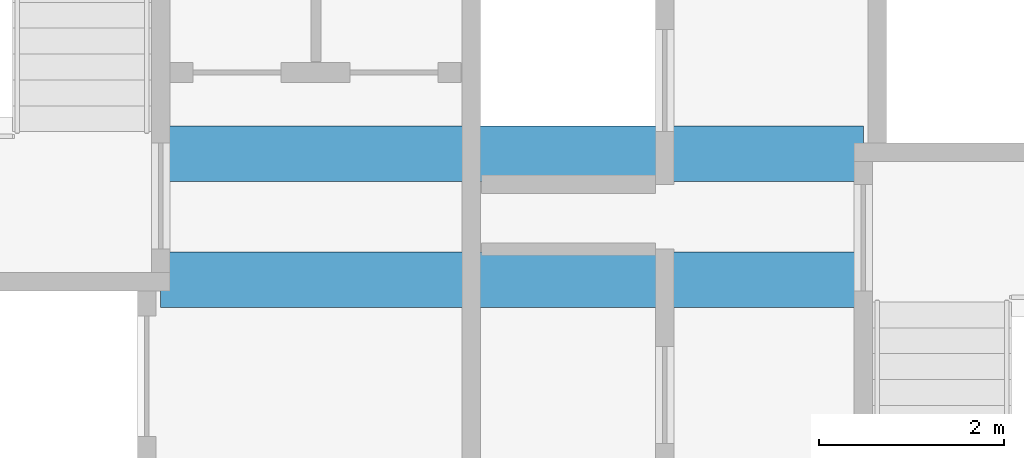
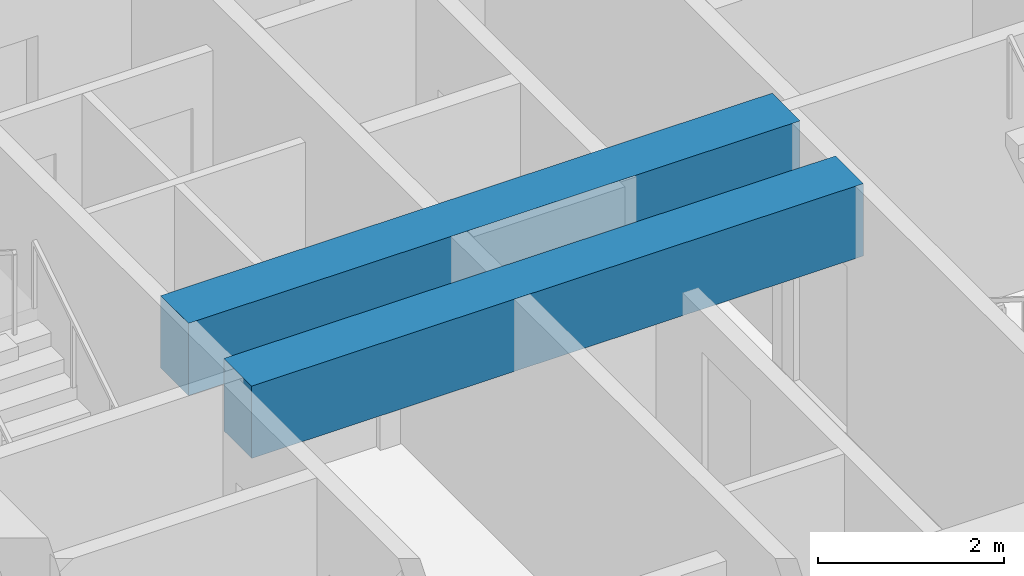
# One storey, part 8 of 41: 2 beams.
"""IFC4 building model written with IfcOpenShell, lengths in metres."""

from ifc_helpers import new_model, si_unit, direction, frame, origin, origin_2d, place, context, subcontext, project, spatial, rectangle, extrude, material, material_profile, profile_set, type_object, element, save


model = new_model("IFC4")

# Units and contexts
model_context = context("Model", 3, precision=1e-05, world=origin(), true_north=direction((0.0, 1.0)))
body_context = subcontext(model_context, "Body", "Model", "MODEL_VIEW")
ifc_project = project(units=[si_unit("LENGTHUNIT", "METRE"), si_unit("AREAUNIT", "SQUARE_METRE"), si_unit("VOLUMEUNIT", "CUBIC_METRE"), si_unit("PLANEANGLEUNIT", "RADIAN"), si_unit("MASSUNIT", "GRAM", prefix="KILO")], contexts=[model_context])

# Site, building, storey
site_placement = place(None, origin())
site = spatial("IfcSite", under=ifc_project, at=site_placement, CompositionType="ELEMENT")
building_placement = place(site_placement, origin())
building = spatial("IfcBuilding", under=site, at=building_placement, Name="Tashvorn Skyway Center", CompositionType="ELEMENT")
storey_placement = place(building_placement, frame((0.0, 0.0, 117.949951171875)))
storey = spatial("IfcBuildingStorey", under=building, at=storey_placement, Name="L31", CompositionType="ELEMENT", Elevation=117.949951171875)

# Beams
ifc_material = material(Name="Concrete C60/75", Category="concrete")
ifc_material_profile = material_profile(ifc_material, rectangle(XDim=0.60009765625, YDim=0.949951171875, at=origin_2d()), Name="RCB600x950")
ifc_profile_set = profile_set([ifc_material_profile], Name="Concrete C60/75")
beam_type = type_object("IfcBeamType", Name="BM-LINTEL-RCB600x950", PredefinedType="LINTEL", material=ifc_profile_set)
for number, where, z_axis, x_axis, name in (
    (1, (38.199951171875, 32.679931640625, 2.89501953125), (1.0, 0.0, 0.0), (0.0, 1.0, 0.0), "Tower 1 L31 Core Coupling Beam CN"),
    (2, (38.199951171875, 31.320068359375, 2.89501953125), (1.0, 0.0, 0.0), (0.0, 1.0, 0.0), "Tower 1 L31 Core Coupling Beam CS"),
):
    element("IfcBeam", number, at=place(storey_placement, frame(where, z_axis=z_axis, x_axis=x_axis)), inside=storey, type_object=beam_type, Name=name, PredefinedType="LINTEL", context=body_context, shape_type="SweptSolid", body=[
        extrude(rectangle(XDim=0.60009765625, YDim=0.949951171875, at=origin_2d()), origin(), (0.0, 0.0, 1.0), 7.60009765625),
    ])

save(model, "model.ifc")
